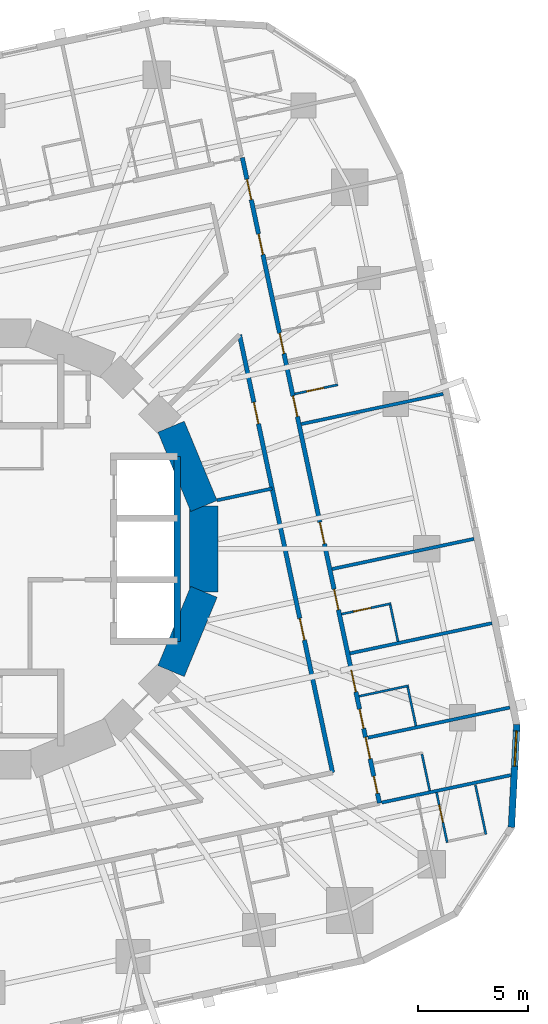
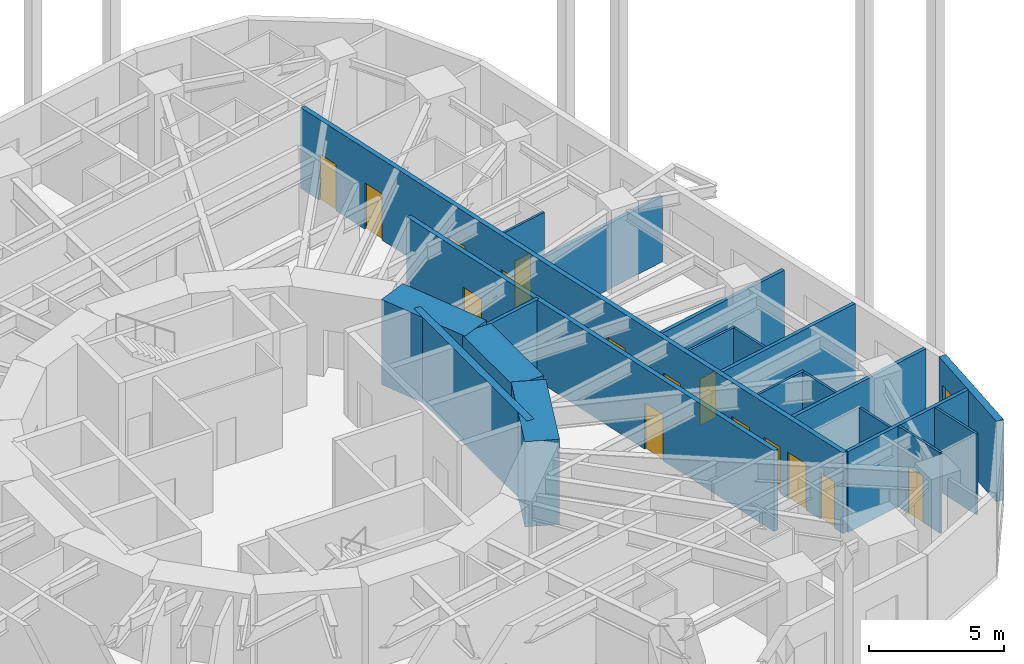
# One storey, part 8 of 12: 21 walls, 15 doors, 1 window, 16 openings.
"""IFC4 building model written with IfcOpenShell, lengths in metres."""

from ifc_helpers import new_model, si_unit, direction, frame, frame_2d, origin, place, context, subcontext, project, spatial, rectangle, extrude, material, layer, layer_set, type_object, element, fill, save


model = new_model("IFC4")

# Units and contexts
model_context = context("Model", 3, precision=1e-05, world=origin(), true_north=direction((0.0, 1.0)))
body_context = subcontext(model_context, "Body", "Model", "MODEL_VIEW")
ifc_project = project(units=[si_unit("LENGTHUNIT", "METRE"), si_unit("AREAUNIT", "SQUARE_METRE"), si_unit("VOLUMEUNIT", "CUBIC_METRE"), si_unit("PLANEANGLEUNIT", "RADIAN"), si_unit("MASSUNIT", "GRAM", prefix="KILO")], contexts=[model_context])

# Site, building, storey
site_placement = place(None, origin())
site = spatial("IfcSite", under=ifc_project, at=site_placement, CompositionType="ELEMENT")
building_placement = place(site_placement, origin())
building = spatial("IfcBuilding", under=site, at=building_placement, Name="Nakasero Lantern House", CompositionType="ELEMENT")
storey_placement = place(building_placement, frame((0.0, 0.0, 101.14990234375)))
storey = spatial("IfcBuildingStorey", under=building, at=storey_placement, Name="L24", CompositionType="ELEMENT", Elevation=101.14990234375)

# Walls
ifc_material_1 = material(Name="Concrete C50/60", Category="concrete")
ifc_layer_1 = layer(ifc_material_1, 0.300048828125)
ifc_layer_set_1 = layer_set([ifc_layer_1], Name="Core inner wall 300")
wall_type_1 = type_object("IfcWallType", Name="Core inner wall 300", PredefinedType="SHEAR", material=ifc_layer_set_1)
wall_1_placement = place(storey_placement, frame((8.60009765625, -4.199951171875, 0.0), z_axis=(0.0, 0.0, 1.0), x_axis=(0.0, 1.0, 0.0)))
element("IfcWall", 1, at=wall_1_placement, inside=storey, type_object=wall_type_1, Name="Core inner wall L24 LEB", PredefinedType="SHEAR", context=body_context, shape_type="SweptSolid", body=[
    extrude(rectangle(XDim=8.39990234375, YDim=0.300048828125, at=frame_2d((4.199951171875, 0.0))), origin(), (0.0, 0.0, 1.0), 3.85009765625),
])
ifc_material_2 = material(Name="Concrete C50/60", Category="concrete")
ifc_layer_2 = layer(ifc_material_2, 1.300048828125)
ifc_layer_set_2 = layer_set([ifc_layer_2], Name="Core wall 1300")
wall_type_2 = type_object("IfcWallType", Name="Core wall 1300", PredefinedType="SHEAR", material=ifc_layer_set_2)
for number, where, z_axis, x_axis, name in (
    (2, (9.807861328125, 1.950927734375, 0.0), (0.0, 0.0, 1.0), (-0.382690736062, 0.923876507187, 0.0), "Core wall L24 facet 1"),
    (3, (8.314697265625, -5.5556640625, 0.0), (0.0, 0.0, 1.0), (0.382690736062, 0.923876507187, 0.0), "Core wall L24 facet 15"),
    (4, (9.807861328125, -1.950927734375, 0.0), (0.0, 0.0, 1.0), (0.0, 1.0, 0.0), "Core wall L24 facet 16"),
):
    element("IfcWall", number, at=place(storey_placement, frame(where, z_axis=z_axis, x_axis=x_axis)), inside=storey, type_object=wall_type_2, Name=name, PredefinedType="SHEAR", context=body_context, shape_type="SweptSolid", body=[
        extrude(rectangle(XDim=3.90185546875, YDim=1.300048828125, at=frame_2d((1.950927734375, 0.0))), origin(), (0.0, 0.0, 1.0), 3.85009765625),
    ])

# Wall, openings, doors
ifc_material_3 = material(Name="Blockwork", Category="masonry")
ifc_layer_3 = layer(ifc_material_3, 0.199951171875)
ifc_layer_set_3 = layer_set([ifc_layer_3], Name="Corridor wall 200")
wall_type_3 = type_object("IfcWallType", Name="Corridor wall 200", PredefinedType="PARTITIONING", material=ifc_layer_set_3)
wall_2_placement = place(storey_placement, frame((17.790771484375, -11.553466796875, 0.0), z_axis=(0.0, 0.0, 1.0), x_axis=(-0.207911508826, 0.978147639417, 0.0)))
wall_2 = element("IfcWall", 5, at=wall_2_placement, inside=storey, type_object=wall_type_3, Name="Corridor wall L24 CW0", PredefinedType="PARTITIONING", context=body_context, shape_type="SweptSolid", body=[
    extrude(rectangle(XDim=29.999755859375, YDim=0.199951171875, at=frame_2d((15.0, 0.0))), origin(), (0.0, 0.0, 1.0), 3.650146484375),
])
opening_1_placement = place(wall_2_placement, frame((0.449951171875, 0.0, 0.0)))
opening_1 = element("IfcOpeningElement", 6, at=opening_1_placement, cuts=wall_2, Name="Opening D15", PredefinedType="OPENING", context=body_context, shape_type="SweptSolid", body=[
    extrude(rectangle(XDim=0.800048828125, YDim=2.10009765625, at=frame_2d((0.39990234375, 1.050048828125))), frame((0.0, 0.119873046875, 0.0), z_axis=(0.0, -1.0, 0.0), x_axis=(1.0, 0.0, 0.0)), (0.0, 0.0, 1.0), 0.239990234375),
])
opening_2_placement = place(wall_2_placement, frame((2.050048828125, 0.0, 0.0)))
opening_2 = element("IfcOpeningElement", 7, at=opening_2_placement, cuts=wall_2, Name="Opening D07", PredefinedType="OPENING", context=body_context, shape_type="SweptSolid", body=[
    extrude(rectangle(XDim=1.0, YDim=2.10009765625, at=frame_2d((0.5, 1.050048828125))), frame((0.0, 0.119873046875, 0.0), z_axis=(0.0, -1.0, 0.0), x_axis=(1.0, 0.0, 0.0)), (0.0, 0.0, 1.0), 0.239990234375),
])
opening_3_placement = place(wall_2_placement, frame((3.466064453125, 0.0, 0.0)))
opening_3 = element("IfcOpeningElement", 8, at=opening_3_placement, cuts=wall_2, Name="Opening D16", PredefinedType="OPENING", context=body_context, shape_type="SweptSolid", body=[
    extrude(rectangle(XDim=0.89990234375, YDim=2.10009765625, at=frame_2d((0.449951171875, 1.050048828125))), frame((0.0, 0.119873046875, 0.0), z_axis=(0.0, -1.0, 0.0), x_axis=(1.0, 0.0, 0.0)), (0.0, 0.0, 1.0), 0.239990234375),
])
opening_4_placement = place(wall_2_placement, frame((5.166015625, 0.0, 0.0)))
opening_4 = element("IfcOpeningElement", 9, at=opening_4_placement, cuts=wall_2, Name="Opening D07", PredefinedType="OPENING", context=body_context, shape_type="SweptSolid", body=[
    extrude(rectangle(XDim=1.0, YDim=2.10009765625, at=frame_2d((0.5, 1.050048828125))), frame((0.0, 0.119873046875, 0.0), z_axis=(0.0, -1.0, 0.0), x_axis=(1.0, 0.0, 0.0)), (0.0, 0.0, 1.0), 0.239990234375),
])
opening_5_placement = place(wall_2_placement, frame((8.985595703125, 0.0, 0.0)))
opening_5 = element("IfcOpeningElement", 10, at=opening_5_placement, cuts=wall_2, Name="Opening D01", PredefinedType="OPENING", context=body_context, shape_type="SweptSolid", body=[
    extrude(rectangle(XDim=0.949951171875, YDim=2.10009765625, at=frame_2d((0.47509765625, 1.050048828125))), frame((0.0, 0.119873046875, 0.0), z_axis=(0.0, -1.0, 0.0), x_axis=(1.0, 0.0, 0.0)), (0.0, 0.0, 1.0), 0.239990234375),
])
opening_6_placement = place(wall_2_placement, frame((17.967529296875, 0.0, 0.0)))
opening_6 = element("IfcOpeningElement", 11, at=opening_6_placement, cuts=wall_2, Name="Opening D01", PredefinedType="OPENING", context=body_context, shape_type="SweptSolid", body=[
    extrude(rectangle(XDim=0.949951171875, YDim=2.10009765625, at=frame_2d((0.47509765625, 1.050048828125))), frame((0.0, 0.119873046875, 0.0), z_axis=(0.0, -1.0, 0.0), x_axis=(1.0, 0.0, 0.0)), (0.0, 0.0, 1.0), 0.239990234375),
])
opening_7_placement = place(wall_2_placement, frame((20.89404296875, 0.0, 0.0)))
opening_7 = element("IfcOpeningElement", 12, at=opening_7_placement, cuts=wall_2, Name="Opening D01", PredefinedType="OPENING", context=body_context, shape_type="SweptSolid", body=[
    extrude(rectangle(XDim=0.949951171875, YDim=2.10009765625, at=frame_2d((0.47509765625, 1.050048828125))), frame((0.0, 0.119873046875, 0.0), z_axis=(0.0, -1.0, 0.0), x_axis=(1.0, 0.0, 0.0)), (0.0, 0.0, 1.0), 0.239990234375),
])
opening_8_placement = place(wall_2_placement, frame((25.495361328125, 0.0, 0.0)))
opening_8 = element("IfcOpeningElement", 13, at=opening_8_placement, cuts=wall_2, Name="Opening D01", PredefinedType="OPENING", context=body_context, shape_type="SweptSolid", body=[
    extrude(rectangle(XDim=0.949951171875, YDim=2.10009765625, at=frame_2d((0.47509765625, 1.050048828125))), frame((0.0, 0.119873046875, 0.0), z_axis=(0.0, -1.0, 0.0), x_axis=(1.0, 0.0, 0.0)), (0.0, 0.0, 1.0), 0.239990234375),
])
opening_9_placement = place(wall_2_placement, frame((28.038330078125, 0.0, 0.0)))
opening_9 = element("IfcOpeningElement", 14, at=opening_9_placement, cuts=wall_2, Name="Opening D01", PredefinedType="OPENING", context=body_context, shape_type="SweptSolid", body=[
    extrude(rectangle(XDim=0.949951171875, YDim=2.10009765625, at=frame_2d((0.47509765625, 1.050048828125))), frame((0.0, 0.119873046875, 0.0), z_axis=(0.0, -1.0, 0.0), x_axis=(1.0, 0.0, 0.0)), (0.0, 0.0, 1.0), 0.239990234375),
])
opening_10_placement = place(wall_2_placement, frame((12.05517578125, 0.0, 0.0)))
opening_10 = element("IfcOpeningElement", 15, at=opening_10_placement, cuts=wall_2, Name="Opening D03", PredefinedType="OPENING", context=body_context, shape_type="SweptSolid", body=[
    extrude(rectangle(XDim=1.0, YDim=2.10009765625, at=frame_2d((0.5, 1.050048828125))), frame((0.0, 0.119873046875, 0.0), z_axis=(0.0, -1.0, 0.0), x_axis=(1.0, 0.0, 0.0)), (0.0, 0.0, 1.0), 0.239990234375),
])
ifc_material_4 = material(Name="Timber C24", Category="wood")
door_type_1 = type_object("IfcDoorType", Name="Accessible WC door 900", OperationType="SINGLE_SWING_RIGHT", PredefinedType="DOOR", material=ifc_material_4)
door_1_placement = place(opening_3_placement, origin())
door_1 = element("IfcDoor", 16, at=door_1_placement, inside=storey, type_object=door_type_1, Name="Door L24 DS0-01", OperationType="SINGLE_SWING_LEFT", OverallHeight=2.10009765625, OverallWidth=0.89990234375, PredefinedType="DOOR", context=body_context, shape_type="SweptSolid", body=[
    extrude(rectangle(XDim=0.89990234375, YDim=2.10009765625, at=frame_2d((0.449951171875, 1.050048828125))), frame((0.0, 0.02490234375, 0.0), z_axis=(0.0, -1.0, 0.0), x_axis=(1.0, 0.0, 0.0)), (0.0, 0.0, 1.0), 0.050048828125),
])
fill(opening_3, door_1)
ifc_material_5 = material(Name="Timber C24", Category="wood")
door_type_2 = type_object("IfcDoorType", Name="Bedroom door FD30S 950", OperationType="SINGLE_SWING_LEFT", PredefinedType="DOOR", material=ifc_material_5)
door_2_placement = place(opening_5_placement, origin())
door_2 = element("IfcDoor", 17, at=door_2_placement, inside=storey, type_object=door_type_2, Name="Door L24 D0-02", OperationType="SINGLE_SWING_LEFT", OverallHeight=2.10009765625, OverallWidth=0.949951171875, PredefinedType="DOOR", context=body_context, shape_type="SweptSolid", body=[
    extrude(rectangle(XDim=0.949951171875, YDim=2.10009765625, at=frame_2d((0.47509765625, 1.050048828125))), frame((0.0, 0.02490234375, 0.0), z_axis=(0.0, -1.0, 0.0), x_axis=(1.0, 0.0, 0.0)), (0.0, 0.0, 1.0), 0.050048828125),
])
fill(opening_5, door_2)
door_3_placement = place(opening_6_placement, origin())
door_3 = element("IfcDoor", 18, at=door_3_placement, inside=storey, type_object=door_type_2, Name="Door L24 D0-05", OperationType="SINGLE_SWING_RIGHT", OverallHeight=2.10009765625, OverallWidth=0.949951171875, PredefinedType="DOOR", context=body_context, shape_type="SweptSolid", body=[
    extrude(rectangle(XDim=0.949951171875, YDim=2.10009765625, at=frame_2d((0.47509765625, 1.050048828125))), frame((0.0, 0.02490234375, 0.0), z_axis=(0.0, -1.0, 0.0), x_axis=(1.0, 0.0, 0.0)), (0.0, 0.0, 1.0), 0.050048828125),
])
fill(opening_6, door_3)
door_4_placement = place(opening_7_placement, origin())
door_4 = element("IfcDoor", 19, at=door_4_placement, inside=storey, type_object=door_type_2, Name="Door L24 D0-06", OperationType="SINGLE_SWING_RIGHT", OverallHeight=2.10009765625, OverallWidth=0.949951171875, PredefinedType="DOOR", context=body_context, shape_type="SweptSolid", body=[
    extrude(rectangle(XDim=0.949951171875, YDim=2.10009765625, at=frame_2d((0.47509765625, 1.050048828125))), frame((0.0, 0.02490234375, 0.0), z_axis=(0.0, -1.0, 0.0), x_axis=(1.0, 0.0, 0.0)), (0.0, 0.0, 1.0), 0.050048828125),
])
fill(opening_7, door_4)
door_5_placement = place(opening_8_placement, origin())
door_5 = element("IfcDoor", 20, at=door_5_placement, inside=storey, type_object=door_type_2, Name="Door L24 D0-07", OperationType="SINGLE_SWING_RIGHT", OverallHeight=2.10009765625, OverallWidth=0.949951171875, PredefinedType="DOOR", context=body_context, shape_type="SweptSolid", body=[
    extrude(rectangle(XDim=0.949951171875, YDim=2.10009765625, at=frame_2d((0.47509765625, 1.050048828125))), frame((0.0, 0.02490234375, 0.0), z_axis=(0.0, -1.0, 0.0), x_axis=(1.0, 0.0, 0.0)), (0.0, 0.0, 1.0), 0.050048828125),
])
fill(opening_8, door_5)
door_6_placement = place(opening_9_placement, origin())
door_6 = element("IfcDoor", 21, at=door_6_placement, inside=storey, type_object=door_type_2, Name="Door L24 D0-08", OperationType="SINGLE_SWING_RIGHT", OverallHeight=2.10009765625, OverallWidth=0.949951171875, PredefinedType="DOOR", context=body_context, shape_type="SweptSolid", body=[
    extrude(rectangle(XDim=0.949951171875, YDim=2.10009765625, at=frame_2d((0.47509765625, 1.050048828125))), frame((0.0, 0.02490234375, 0.0), z_axis=(0.0, -1.0, 0.0), x_axis=(1.0, 0.0, 0.0)), (0.0, 0.0, 1.0), 0.050048828125),
])
fill(opening_9, door_6)
ifc_material_6 = material(Name="Timber C24", Category="wood")
door_type_3 = type_object("IfcDoorType", Name="Cleaner's store door FD30S 800", OperationType="SINGLE_SWING_LEFT", PredefinedType="DOOR", material=ifc_material_6)
door_7_placement = place(opening_1_placement, origin())
door_7 = element("IfcDoor", 22, at=door_7_placement, inside=storey, type_object=door_type_3, Name="Door L24 DS0-00", OperationType="SINGLE_SWING_LEFT", OverallHeight=2.10009765625, OverallWidth=0.800048828125, PredefinedType="DOOR", context=body_context, shape_type="SweptSolid", body=[
    extrude(rectangle(XDim=0.800048828125, YDim=2.10009765625, at=frame_2d((0.39990234375, 1.050048828125))), frame((0.0, 0.02490234375, 0.0), z_axis=(0.0, -1.0, 0.0), x_axis=(1.0, 0.0, 0.0)), (0.0, 0.0, 1.0), 0.050048828125),
])
fill(opening_1, door_7)
ifc_material_7 = material(Name="Timber C24", Category="wood")
door_type_4 = type_object("IfcDoorType", Name="Lounge door FD30S 1000", OperationType="SINGLE_SWING_LEFT", PredefinedType="DOOR", material=ifc_material_7)
door_8_placement = place(opening_10_placement, origin())
door_8 = element("IfcDoor", 23, at=door_8_placement, inside=storey, type_object=door_type_4, Name="Door L24 DK0", OperationType="SINGLE_SWING_LEFT", OverallHeight=2.10009765625, OverallWidth=1.0, PredefinedType="DOOR", context=body_context, shape_type="SweptSolid", body=[
    extrude(rectangle(XDim=1.0, YDim=2.10009765625, at=frame_2d((0.5, 1.050048828125))), frame((0.0, 0.02490234375, 0.0), z_axis=(0.0, -1.0, 0.0), x_axis=(1.0, 0.0, 0.0)), (0.0, 0.0, 1.0), 0.050048828125),
])
fill(opening_10, door_8)
ifc_material_8 = material(Name="Timber C24", Category="wood")
door_type_5 = type_object("IfcDoorType", Name="Room door FD30S 1000", OperationType="SINGLE_SWING_LEFT", PredefinedType="DOOR", material=ifc_material_8)
door_9_placement = place(opening_2_placement, origin())
door_9 = element("IfcDoor", 24, at=door_9_placement, inside=storey, type_object=door_type_5, Name="Door L24 D0-00", OperationType="SINGLE_SWING_LEFT", OverallHeight=2.10009765625, OverallWidth=1.0, PredefinedType="DOOR", context=body_context, shape_type="SweptSolid", body=[
    extrude(rectangle(XDim=1.0, YDim=2.10009765625, at=frame_2d((0.5, 1.050048828125))), frame((0.0, 0.02490234375, 0.0), z_axis=(0.0, -1.0, 0.0), x_axis=(1.0, 0.0, 0.0)), (0.0, 0.0, 1.0), 0.050048828125),
])
fill(opening_2, door_9)
door_10_placement = place(opening_4_placement, origin())
door_10 = element("IfcDoor", 25, at=door_10_placement, inside=storey, type_object=door_type_5, Name="Door L24 D0-01", OperationType="SINGLE_SWING_LEFT", OverallHeight=2.10009765625, OverallWidth=1.0, PredefinedType="DOOR", context=body_context, shape_type="SweptSolid", body=[
    extrude(rectangle(XDim=1.0, YDim=2.10009765625, at=frame_2d((0.5, 1.050048828125))), frame((0.0, 0.02490234375, 0.0), z_axis=(0.0, -1.0, 0.0), x_axis=(1.0, 0.0, 0.0)), (0.0, 0.0, 1.0), 0.050048828125),
])
fill(opening_4, door_10)

wall_3_placement = place(storey_placement, frame((15.656005859375, -10.1669921875, 0.0), z_axis=(0.0, 0.0, 1.0), x_axis=(-0.207914881985, 0.978146922425, 0.0)))
wall_3 = element("IfcWall", 26, at=wall_3_placement, inside=storey, type_object=wall_type_3, Name="Corridor wall L24 IW0-0", PredefinedType="PARTITIONING", context=body_context, shape_type="SweptSolid", body=[
    extrude(rectangle(XDim=20.34130859375, YDim=0.199951171875, at=frame_2d((10.170654296875, 0.0))), origin(), (0.0, 0.0, 1.0), 3.650146484375),
])
opening_11_placement = place(wall_3_placement, frame((6.16259765625, 0.0, 0.0)))
opening_11 = element("IfcOpeningElement", 27, at=opening_11_placement, cuts=wall_3, Name="Opening D07", PredefinedType="OPENING", context=body_context, shape_type="SweptSolid", body=[
    extrude(rectangle(XDim=1.0, YDim=2.10009765625, at=frame_2d((0.5, 1.050048828125))), frame((0.0, 0.119873046875, 0.0), z_axis=(0.0, -1.0, 0.0), x_axis=(1.0, 0.0, 0.0)), (0.0, 0.0, 1.0), 0.239990234375),
])
opening_12_placement = place(wall_3_placement, frame((16.208251953125, 0.0, 0.0)))
opening_12 = element("IfcOpeningElement", 28, at=opening_12_placement, cuts=wall_3, Name="Opening D07", PredefinedType="OPENING", context=body_context, shape_type="SweptSolid", body=[
    extrude(rectangle(XDim=1.0, YDim=2.10009765625, at=frame_2d((0.5, 1.050048828125))), frame((0.0, 0.119873046875, 0.0), z_axis=(0.0, -1.0, 0.0), x_axis=(1.0, 0.0, 0.0)), (0.0, 0.0, 1.0), 0.239990234375),
])
door_11_placement = place(opening_11_placement, origin())
door_11 = element("IfcDoor", 29, at=door_11_placement, inside=storey, type_object=door_type_5, Name="Door L24 DI3", OperationType="SINGLE_SWING_LEFT", OverallHeight=2.10009765625, OverallWidth=1.0, PredefinedType="DOOR", context=body_context, shape_type="SweptSolid", body=[
    extrude(rectangle(XDim=1.0, YDim=2.10009765625, at=frame_2d((0.5, 1.050048828125))), frame((0.0, 0.02490234375, 0.0), z_axis=(0.0, -1.0, 0.0), x_axis=(1.0, 0.0, 0.0)), (0.0, 0.0, 1.0), 0.050048828125),
])
fill(opening_11, door_11)
door_12_placement = place(opening_12_placement, origin())
door_12 = element("IfcDoor", 30, at=door_12_placement, inside=storey, type_object=door_type_5, Name="Door L24 DI4", OperationType="SINGLE_SWING_RIGHT", OverallHeight=2.10009765625, OverallWidth=1.0, PredefinedType="DOOR", context=body_context, shape_type="SweptSolid", body=[
    extrude(rectangle(XDim=1.0, YDim=2.10009765625, at=frame_2d((0.5, 1.050048828125))), frame((0.0, 0.02490234375, 0.0), z_axis=(0.0, -1.0, 0.0), x_axis=(1.0, 0.0, 0.0)), (0.0, 0.0, 1.0), 0.050048828125),
])
fill(opening_12, door_12)

# Walls
ifc_material_9 = material(Name="Blockwork", Category="masonry")
ifc_layer_4 = layer(ifc_material_9, 0.10009765625)
ifc_layer_set_4 = layer_set([ifc_layer_4], Name="En-suite wall 100")
wall_type_4 = type_object("IfcWallType", Name="En-suite wall 100", PredefinedType="PARTITIONING", material=ifc_layer_set_4)
wall_4_placement = place(storey_placement, frame((20.073974609375, -10.99169921875, 0.0), z_axis=(0.0, 0.0, 1.0), x_axis=(-0.207920579847, 0.97814571127, 0.0)))
element("IfcWall", 31, at=wall_4_placement, inside=storey, type_object=wall_type_4, Name="En-suite wall L24 EE0-00", PredefinedType="PARTITIONING", context=body_context, shape_type="SweptSolid", body=[
    extrude(rectangle(XDim=1.7001953125, YDim=0.10009765625, at=frame_2d((0.85009765625, 0.0))), origin(), (0.0, 0.0, 1.0), 3.650146484375),
])
wall_5_placement = place(storey_placement, frame((16.861328125, -6.69970703125, 0.0), z_axis=(0.0, 0.0, 1.0), x_axis=(0.978141312374, 0.207941273027, 0.0)))
element("IfcWall", 32, at=wall_5_placement, inside=storey, type_object=wall_type_4, Name="En-suite wall L24 ES0-01", PredefinedType="PARTITIONING", context=body_context, shape_type="SweptSolid", body=[
    extrude(rectangle(XDim=2.300048828125, YDim=0.10009765625, at=frame_2d((1.14990234375, 0.0))), origin(), (0.0, 0.0, 1.0), 3.650146484375),
])
wall_6_placement = place(storey_placement, frame((19.44677734375, -8.041259765625, 0.0), z_axis=(0.0, 0.0, 1.0), x_axis=(-0.207944737591, 0.978140575842, 0.0)))
element("IfcWall", 33, at=wall_6_placement, inside=storey, type_object=wall_type_4, Name="En-suite wall L24 EE0-01", PredefinedType="PARTITIONING", context=body_context, shape_type="SweptSolid", body=[
    extrude(rectangle(XDim=1.7998046875, YDim=0.10009765625, at=frame_2d((0.89990234375, 0.0))), origin(), (0.0, 0.0, 1.0), 3.650146484375),
])

# Wall, opening, door
wall_7_placement = place(storey_placement, frame((16.0673828125, -2.963623046875, 0.0), z_axis=(0.0, 0.0, 1.0), x_axis=(0.978136721923, 0.207962865015, 0.0)))
wall_7 = element("IfcWall", 34, at=wall_7_placement, inside=storey, type_object=wall_type_4, Name="En-suite wall L24 ES0-02", PredefinedType="PARTITIONING", context=body_context, shape_type="SweptSolid", body=[
    extrude(rectangle(XDim=2.2998046875, YDim=0.10009765625, at=frame_2d((1.14990234375, 0.0))), origin(), (0.0, 0.0, 1.0), 3.650146484375),
])
opening_13_placement = place(wall_7_placement, frame((0.550048828125, 0.0, 0.0)))
opening_13 = element("IfcOpeningElement", 35, at=opening_13_placement, cuts=wall_7, Name="Opening D02", PredefinedType="OPENING", context=body_context, shape_type="SweptSolid", body=[
    extrude(rectangle(XDim=0.800048828125, YDim=2.10009765625, at=frame_2d((0.39990234375, 1.050048828125))), frame((0.0, 0.070068359375, 0.0), z_axis=(0.0, -1.0, 0.0), x_axis=(1.0, 0.0, 0.0)), (0.0, 0.0, 1.0), 0.14013671875),
])
ifc_material_10 = material(Name="Timber C24", Category="wood")
door_type_6 = type_object("IfcDoorType", Name="En-suite door 800", OperationType="SINGLE_SWING_RIGHT", PredefinedType="DOOR", material=ifc_material_10)
door_13_placement = place(opening_13_placement, origin())
door_13 = element("IfcDoor", 36, at=door_13_placement, inside=storey, type_object=door_type_6, Name="Door L24 DE0-02", OperationType="SINGLE_SWING_LEFT", OverallHeight=2.10009765625, OverallWidth=0.800048828125, PredefinedType="DOOR", context=body_context, shape_type="SweptSolid", body=[
    extrude(rectangle(XDim=0.800048828125, YDim=2.10009765625, at=frame_2d((0.39990234375, 1.050048828125))), frame((0.0, 0.02490234375, 0.0), z_axis=(0.0, -1.0, 0.0), x_axis=(1.0, 0.0, 0.0)), (0.0, 0.0, 1.0), 0.050048828125),
])
fill(opening_13, door_13)

# Wall
wall_8_placement = place(storey_placement, frame((18.6318359375, -4.20751953125, 0.0), z_axis=(0.0, 0.0, 1.0), x_axis=(-0.207812379357, 0.978168704767, 0.0)))
element("IfcWall", 37, at=wall_8_placement, inside=storey, type_object=wall_type_4, Name="En-suite wall L24 EE0-02", PredefinedType="PARTITIONING", context=body_context, shape_type="SweptSolid", body=[
    extrude(rectangle(XDim=1.699951171875, YDim=0.10009765625, at=frame_2d((0.85009765625, 0.0))), origin(), (0.0, 0.0, 1.0), 3.650146484375),
])

# Wall, opening, door
wall_9_placement = place(storey_placement, frame((13.939697265625, 7.046142578125, 0.0), z_axis=(0.0, 0.0, 1.0), x_axis=(0.978152955943, 0.207886494942, 0.0)))
wall_9 = element("IfcWall", 38, at=wall_9_placement, inside=storey, type_object=wall_type_4, Name="En-suite wall L24 ES0-05", PredefinedType="PARTITIONING", context=body_context, shape_type="SweptSolid", body=[
    extrude(rectangle(XDim=2.0, YDim=0.10009765625, at=frame_2d((1.0, 0.0))), origin(), (0.0, 0.0, 1.0), 3.650146484375),
])
opening_14_placement = place(wall_9_placement, frame((0.550048828125, 0.0, 0.0)))
opening_14 = element("IfcOpeningElement", 39, at=opening_14_placement, cuts=wall_9, Name="Opening D02", PredefinedType="OPENING", context=body_context, shape_type="SweptSolid", body=[
    extrude(rectangle(XDim=0.800048828125, YDim=2.10009765625, at=frame_2d((0.39990234375, 1.050048828125))), frame((0.0, 0.070068359375, 0.0), z_axis=(0.0, -1.0, 0.0), x_axis=(1.0, 0.0, 0.0)), (0.0, 0.0, 1.0), 0.14013671875),
])
door_14_placement = place(opening_14_placement, origin())
door_14 = element("IfcDoor", 40, at=door_14_placement, inside=storey, type_object=door_type_6, Name="Door L24 DE0-05", OperationType="SINGLE_SWING_LEFT", OverallHeight=2.10009765625, OverallWidth=0.800048828125, PredefinedType="DOOR", context=body_context, shape_type="SweptSolid", body=[
    extrude(rectangle(XDim=0.800048828125, YDim=2.10009765625, at=frame_2d((0.39990234375, 1.050048828125))), frame((0.0, 0.02490234375, 0.0), z_axis=(0.0, -1.0, 0.0), x_axis=(1.0, 0.0, 0.0)), (0.0, 0.0, 1.0), 0.050048828125),
])
fill(opening_14, door_14)

wall_10_placement = place(storey_placement, frame((20.382568359375, -11.069091796875, 0.0), z_axis=(0.0, 0.0, 1.0), x_axis=(0.207965047255, -0.978136257952, 0.0)))
wall_10 = element("IfcWall", 41, at=wall_10_placement, inside=storey, type_object=wall_type_4, Name="En-suite wall L24 ES3-08", PredefinedType="PARTITIONING", context=body_context, shape_type="SweptSolid", body=[
    extrude(rectangle(XDim=2.3349609375, YDim=0.10009765625, at=frame_2d((1.16748046875, 0.0))), origin(), (0.0, 0.0, 1.0), 3.650146484375),
])
opening_15_placement = place(wall_10_placement, frame((0.5849609375, 0.0, 0.0)))
opening_15 = element("IfcOpeningElement", 42, at=opening_15_placement, cuts=wall_10, Name="Opening D02", PredefinedType="OPENING", context=body_context, shape_type="SweptSolid", body=[
    extrude(rectangle(XDim=0.800048828125, YDim=2.10009765625, at=frame_2d((0.39990234375, 1.050048828125))), frame((0.0, 0.070068359375, 0.0), z_axis=(0.0, -1.0, 0.0), x_axis=(1.0, 0.0, 0.0)), (0.0, 0.0, 1.0), 0.14013671875),
])
door_15_placement = place(opening_15_placement, origin())
door_15 = element("IfcDoor", 43, at=door_15_placement, inside=storey, type_object=door_type_6, Name="Door L24 DE3-08", OperationType="SINGLE_SWING_LEFT", OverallHeight=2.10009765625, OverallWidth=0.800048828125, PredefinedType="DOOR", context=body_context, shape_type="SweptSolid", body=[
    extrude(rectangle(XDim=0.800048828125, YDim=2.10009765625, at=frame_2d((0.39990234375, 1.050048828125))), frame((0.0, 0.02490234375, 0.0), z_axis=(0.0, -1.0, 0.0), x_axis=(1.0, 0.0, 0.0)), (0.0, 0.0, 1.0), 0.050048828125),
])
fill(opening_15, door_15)

# Wall
wall_11_placement = place(storey_placement, frame((22.150634765625, -10.72900390625, 0.0), z_axis=(0.0, 0.0, 1.0), x_axis=(0.207839712757, -0.978162897375, 0.0)))
element("IfcWall", 44, at=wall_11_placement, inside=storey, type_object=wall_type_4, Name="En-suite wall L24 EV3-08", PredefinedType="PARTITIONING", context=body_context, shape_type="SweptSolid", body=[
    extrude(rectangle(XDim=2.300048828125, YDim=0.10009765625, at=frame_2d((1.14990234375, 0.0))), origin(), (0.0, 0.0, 1.0), 3.650146484375),
])

# Wall, opening, window
ifc_material_11 = material(Name="Aluminium rainscreen on blockwork", Category="masonry")
ifc_layer_5 = layer(ifc_material_11, 0.300048828125)
ifc_layer_set_5 = layer_set([ifc_layer_5], Name="Facade wall 300")
wall_type_5 = type_object("IfcWallType", Name="Facade wall 300", PredefinedType="SOLIDWALL", material=ifc_layer_set_5)
wall_12_placement = place(storey_placement, frame((23.78857421875, -12.655517578125, 0.0), z_axis=(0.0, 0.0, 1.0), x_axis=(0.052326317, 0.998630039879, 0.0)))
wall_12 = element("IfcWall", 45, at=wall_12_placement, inside=storey, type_object=wall_type_5, Name="Facade wall L24 FW3C3", PredefinedType="SOLIDWALL", context=body_context, shape_type="SweptSolid", body=[
    extrude(rectangle(XDim=4.684326171875, YDim=0.300048828125, at=frame_2d((2.34228515625, 0.0))), origin(), (0.0, 0.0, 1.0), 3.650146484375),
])
opening_16_placement = place(wall_12_placement, frame((2.784912109375, 0.0, 0.75)))
opening_16 = element("IfcOpeningElement", 46, at=opening_16_placement, cuts=wall_12, Name="Opening W01", PredefinedType="OPENING", context=body_context, shape_type="SweptSolid", body=[
    extrude(rectangle(XDim=1.60009765625, YDim=1.800048828125, at=frame_2d((0.800048828125, 0.89990234375))), frame((0.0, 0.169921875, 0.0), z_axis=(0.0, -1.0, 0.0), x_axis=(1.0, 0.0, 0.0)), (0.0, 0.0, 1.0), 0.340087890625),
])
ifc_material_12 = material(Name="Aluminium 6063-T6 and glass", Category="aluminium")
window_type = type_object("IfcWindowType", Name="Bedroom window 1600x1800", PartitioningType="SINGLE_PANEL", PredefinedType="WINDOW", material=ifc_material_12)
window_placement = place(opening_16_placement, origin())
window = element("IfcWindow", 47, at=window_placement, inside=storey, type_object=window_type, Name="Window L24 WN0-00", OverallHeight=1.800048828125, OverallWidth=1.60009765625, PartitioningType="SINGLE_PANEL", PredefinedType="WINDOW", context=body_context, shape_type="SweptSolid", body=[
    extrude(rectangle(XDim=1.60009765625, YDim=1.800048828125, at=frame_2d((0.800048828125, 0.89990234375))), frame((0.0, 0.030029296875, 0.0), z_axis=(0.0, -1.0, 0.0), x_axis=(1.0, 0.0, 0.0)), (0.0, 0.0, 1.0), 0.06005859375),
])
fill(opening_16, window)

# Walls
ifc_material_13 = material(Name="Blockwork", Category="masonry")
ifc_layer_6 = layer(ifc_material_13, 0.14990234375)
ifc_layer_set_6 = layer_set([ifc_layer_6], Name="Party wall 150")
wall_type_6 = type_object("IfcWallType", Name="Party wall 150", PredefinedType="PARTITIONING", material=ifc_layer_set_6)
wall_13_placement = place(storey_placement, frame((17.888671875, -11.53271484375, 0.0), z_axis=(0.0, 0.0, 1.0), x_axis=(0.978152955943, 0.207886494942, 0.0)))
element("IfcWall", 48, at=wall_13_placement, inside=storey, type_object=wall_type_6, Name="Party wall L24 PW0-00", PredefinedType="PARTITIONING", context=body_context, shape_type="SweptSolid", body=[
    extrude(rectangle(XDim=6.0, YDim=0.14990234375, at=frame_2d((3.0, 0.0))), origin(), (0.0, 0.0, 1.0), 3.650146484375),
])
wall_14_placement = place(storey_placement, frame((17.26171875, -8.58251953125, 0.0), z_axis=(0.0, 0.0, 1.0), x_axis=(0.978143241716, 0.207932197326, 0.0)))
element("IfcWall", 49, at=wall_14_placement, inside=storey, type_object=wall_type_6, Name="Party wall L24 PW0-01", PredefinedType="PARTITIONING", context=body_context, shape_type="SweptSolid", body=[
    extrude(rectangle(XDim=6.599853515625, YDim=0.14990234375, at=frame_2d((3.2998046875, 0.0))), origin(), (0.0, 0.0, 1.0), 3.650146484375),
])
wall_15_placement = place(storey_placement, frame((16.44677734375, -4.748779296875, 0.0), z_axis=(0.0, 0.0, 1.0), x_axis=(0.978144841009, 0.207924673876, 0.0)))
element("IfcWall", 50, at=wall_15_placement, inside=storey, type_object=wall_type_6, Name="Party wall L24 PW0-02", PredefinedType="PARTITIONING", context=body_context, shape_type="SweptSolid", body=[
    extrude(rectangle(XDim=6.60009765625, YDim=0.14990234375, at=frame_2d((3.300048828125, 0.0))), origin(), (0.0, 0.0, 1.0), 3.650146484375),
])
wall_16_placement = place(storey_placement, frame((15.6318359375, -0.914794921875, 0.0), z_axis=(0.0, 0.0, 1.0), x_axis=(0.978144841009, 0.207924673876, 0.0)))
element("IfcWall", 51, at=wall_16_placement, inside=storey, type_object=wall_type_6, Name="Party wall L24 PW0-03", PredefinedType="PARTITIONING", context=body_context, shape_type="SweptSolid", body=[
    extrude(rectangle(XDim=6.60009765625, YDim=0.14990234375, at=frame_2d((3.300048828125, 0.0))), origin(), (0.0, 0.0, 1.0), 3.121826171875),
])
wall_17_placement = place(storey_placement, frame((14.23095703125, 5.67529296875, 0.0), z_axis=(0.0, 0.0, 1.0), x_axis=(0.978144841009, 0.207924673876, 0.0)))
element("IfcWall", 52, at=wall_17_placement, inside=storey, type_object=wall_type_6, Name="Party wall L24 PW0-05", PredefinedType="PARTITIONING", context=body_context, shape_type="SweptSolid", body=[
    extrude(rectangle(XDim=6.60009765625, YDim=0.14990234375, at=frame_2d((3.300048828125, 0.0))), origin(), (0.0, 0.0, 1.0), 2.957275390625),
])
wall_18_placement = place(storey_placement, frame((12.91162109375, 2.744384765625, 0.0), z_axis=(0.0, 0.0, 1.0), x_axis=(-0.978159092909, -0.207857617037, 0.0)))
element("IfcWall", 53, at=wall_18_placement, inside=storey, type_object=wall_type_6, Name="Party wall L24 IM0", PredefinedType="PARTITIONING", context=body_context, shape_type="SweptSolid", body=[
    extrude(rectangle(XDim=2.56396484375, YDim=0.14990234375, at=frame_2d((1.281982421875, 0.0))), origin(), (0.0, 0.0, 1.0), 3.650146484375),
])

save(model, "model.ifc")
